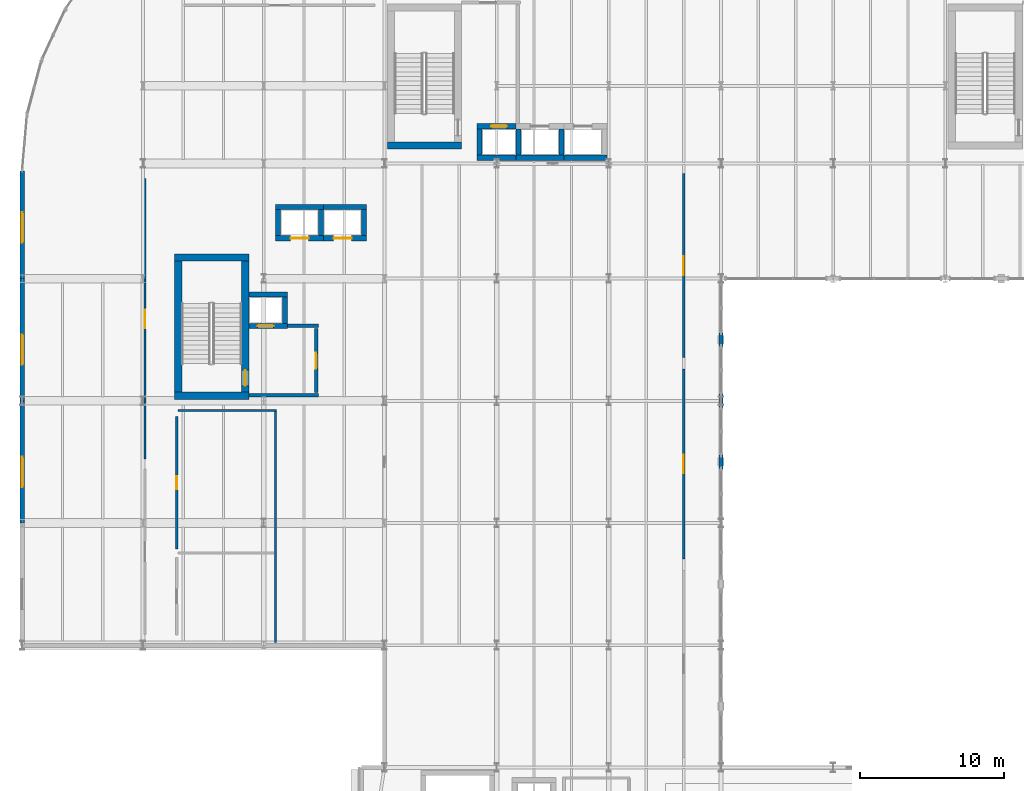
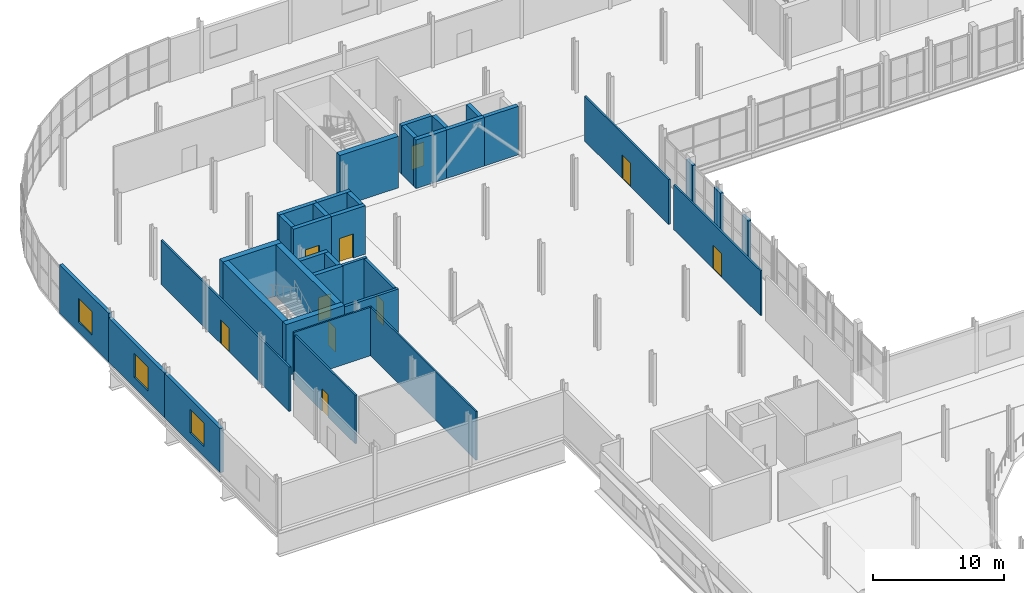
# One storey, part 50 of 63: 37 walls, 10 doors, 3 windows, 13 openings.
"""IFC4 building model written with IfcOpenShell, lengths in metres."""

from ifc_helpers import new_model, si_unit, direction, frame, frame_2d, origin, place, context, subcontext, project, spatial, rectangle, extrude, material, layer, layer_set, type_object, element, fill, save


model = new_model("IFC4")

# Units and contexts
model_context = context("Model", 3, precision=1e-05, world=origin(), true_north=direction((0.0, 1.0)))
body_context = subcontext(model_context, "Body", "Model", "MODEL_VIEW")
ifc_project = project(units=[si_unit("LENGTHUNIT", "METRE"), si_unit("AREAUNIT", "SQUARE_METRE"), si_unit("VOLUMEUNIT", "CUBIC_METRE"), si_unit("PLANEANGLEUNIT", "RADIAN"), si_unit("MASSUNIT", "GRAM", prefix="KILO")], contexts=[model_context])

# Site, building, storey
site_placement = place(None, origin())
site = spatial("IfcSite", under=ifc_project, at=site_placement, CompositionType="ELEMENT")
building_placement = place(site_placement, origin())
building = spatial("IfcBuilding", under=site, at=building_placement, Name="Sefraquen Railside Congress Hotel", CompositionType="ELEMENT")
storey_placement = place(building_placement, frame((0.0, 0.0, 11.39990234375)))
storey = spatial("IfcBuildingStorey", under=building, at=storey_placement, Name="L02", CompositionType="ELEMENT", Elevation=11.39990234375)

# Wall
ifc_material_1 = material(Name="Concrete C50/60", Category="concrete")
ifc_layer_1 = layer(ifc_material_1, 0.35009765625)
ifc_layer_set_1 = layer_set([ifc_layer_1], Name="Concrete C50/60")
wall_type_1 = type_object("IfcWallType", Name="TW-CW-350", PredefinedType="SHEAR", material=ifc_layer_set_1)
wall_1_placement = place(storey_placement, frame((15.760009765625, 86.89501953125, 0.0), z_axis=(0.0, 0.0, 1.0), x_axis=(1.0, 0.0, 0.0)))
element("IfcWall", 1, at=wall_1_placement, inside=storey, type_object=wall_type_1, Name="Lift FL-01 shaft wall N L02", PredefinedType="SHEAR", context=body_context, shape_type="SweptSolid", body=[
    extrude(rectangle(XDim=2.68994140625, YDim=0.35009765625, at=frame_2d((1.344970703125, 0.0))), origin(), (0.0, 0.0, 1.0), 4.52001953125),
])

# Wall, opening, door
wall_2_placement = place(storey_placement, frame((15.760009765625, 84.705078125, 0.0), z_axis=(0.0, 0.0, 1.0), x_axis=(1.0, 0.0, 0.0)))
wall_2 = element("IfcWall", 2, at=wall_2_placement, inside=storey, type_object=wall_type_1, Name="Lift FL-01 shaft wall S L02", PredefinedType="SHEAR", context=body_context, shape_type="SweptSolid", body=[
    extrude(rectangle(XDim=2.68994140625, YDim=0.35009765625, at=frame_2d((1.344970703125, 0.0))), origin(), (0.0, 0.0, 1.0), 4.52001953125),
])
opening_1_placement = place(wall_2_placement, frame((0.6201171875, 0.0, 0.0)))
opening_1 = element("IfcOpeningElement", 3, at=opening_1_placement, cuts=wall_2, Name="Opening LD-01", PredefinedType="OPENING", context=body_context, shape_type="SweptSolid", body=[
    extrude(rectangle(XDim=1.10009765625, YDim=2.199951171875, at=frame_2d((0.550048828125, 1.10009765625))), frame((0.0, 0.18505859375, 0.0), z_axis=(0.0, -1.0, 0.0), x_axis=(1.0, 0.0, 0.0)), (0.0, 0.0, 1.0), 0.3701171875),
])
ifc_material_2 = material(Name="Brushed bronze stainless steel", Category="steel")
door_type_1 = type_object("IfcDoorType", Name="TD-LD-01", OperationType="NOTDEFINED", PredefinedType="DOOR", material=ifc_material_2)
door_1_placement = place(opening_1_placement, origin())
door_1 = element("IfcDoor", 4, at=door_1_placement, inside=storey, type_object=door_type_1, Name="Lift landing door FL-01 L02", OperationType="SLIDING_TO_LEFT", OverallHeight=2.199951171875, OverallWidth=1.10009765625, PredefinedType="DOOR", context=body_context, shape_type="SweptSolid", body=[
    extrude(rectangle(XDim=1.10009765625, YDim=2.199951171875, at=frame_2d((0.550048828125, 1.10009765625))), frame((0.0, 0.02490234375, 0.0), z_axis=(0.0, -1.0, 0.0), x_axis=(1.0, 0.0, 0.0)), (0.0, 0.0, 1.0), 0.050048828125),
])
fill(opening_1, door_1)

# Wall
wall_3_placement = place(storey_placement, frame((18.27490234375, 84.8798828125, 0.0), z_axis=(0.0, 0.0, 1.0), x_axis=(0.0, 1.0, 0.0)))
element("IfcWall", 5, at=wall_3_placement, inside=storey, type_object=wall_type_1, Name="Lift FL-01 shaft wall E L02", PredefinedType="SHEAR", context=body_context, shape_type="SweptSolid", body=[
    extrude(rectangle(XDim=1.840087890625, YDim=0.35009765625, at=frame_2d((0.919921875, 0.0))), origin(), (0.0, 0.0, 1.0), 4.52001953125),
])

# Wall, opening, door
wall_4_placement = place(storey_placement, frame((31.639892578125, 98.594970703125, 0.0), z_axis=(0.0, 0.0, 1.0), x_axis=(1.0, 0.0, 0.0)))
wall_4 = element("IfcWall", 6, at=wall_4_placement, inside=storey, type_object=wall_type_1, Name="Lift FL-02 shaft wall N L02", PredefinedType="SHEAR", context=body_context, shape_type="SweptSolid", body=[
    extrude(rectangle(XDim=2.690185546875, YDim=0.35009765625, at=frame_2d((1.34521484375, 0.0))), origin(), (0.0, 0.0, 1.0), 4.52001953125),
])
opening_2_placement = place(wall_4_placement, frame((0.969970703125, 0.0, 0.0)))
opening_2 = element("IfcOpeningElement", 7, at=opening_2_placement, cuts=wall_4, Name="Opening LD-01", PredefinedType="OPENING", context=body_context, shape_type="SweptSolid", body=[
    extrude(rectangle(XDim=1.10009765625, YDim=2.199951171875, at=frame_2d((0.550048828125, 1.10009765625))), frame((0.0, 0.18505859375, 0.0), z_axis=(0.0, -1.0, 0.0), x_axis=(1.0, 0.0, 0.0)), (0.0, 0.0, 1.0), 0.3701171875),
])
door_2_placement = place(opening_2_placement, origin())
door_2 = element("IfcDoor", 8, at=door_2_placement, inside=storey, type_object=door_type_1, Name="Lift landing door FL-02 L02", OperationType="SLIDING_TO_LEFT", OverallHeight=2.199951171875, OverallWidth=1.10009765625, PredefinedType="DOOR", context=body_context, shape_type="SweptSolid", body=[
    extrude(rectangle(XDim=1.10009765625, YDim=2.199951171875, at=frame_2d((0.550048828125, 1.10009765625))), frame((0.0, 0.02490234375, 0.0), z_axis=(0.0, -1.0, 0.0), x_axis=(1.0, 0.0, 0.0)), (0.0, 0.0, 1.0), 0.050048828125),
])
fill(opening_2, door_2)

# Walls
wall_5_placement = place(storey_placement, frame((31.639892578125, 96.405029296875, 0.0), z_axis=(0.0, 0.0, 1.0), x_axis=(1.0, 0.0, 0.0)))
element("IfcWall", 9, at=wall_5_placement, inside=storey, type_object=wall_type_1, Name="Lift FL-02 shaft wall S L02", PredefinedType="SHEAR", context=body_context, shape_type="SweptSolid", body=[
    extrude(rectangle(XDim=2.690185546875, YDim=0.35009765625, at=frame_2d((1.34521484375, 0.0))), origin(), (0.0, 0.0, 1.0), 4.52001953125),
])
wall_6_placement = place(storey_placement, frame((31.81494140625, 96.580078125, 0.0), z_axis=(0.0, 0.0, 1.0), x_axis=(0.0, 1.0, 0.0)))
element("IfcWall", 10, at=wall_6_placement, inside=storey, type_object=wall_type_1, Name="Lift FL-02 shaft wall W L02", PredefinedType="SHEAR", context=body_context, shape_type="SweptSolid", body=[
    extrude(rectangle(XDim=1.83984375, YDim=0.35009765625, at=frame_2d((0.919921875, 0.0))), origin(), (0.0, 0.0, 1.0), 4.52001953125),
])
wall_7_placement = place(storey_placement, frame((17.6298828125, 92.9951171875, 0.0), z_axis=(0.0, 0.0, 1.0), x_axis=(1.0, 0.0, 0.0)))
element("IfcWall", 11, at=wall_7_placement, inside=storey, type_object=wall_type_1, Name="Lift PL-01 shaft wall N L02", PredefinedType="SHEAR", context=body_context, shape_type="SweptSolid", body=[
    extrude(rectangle(XDim=3.340087890625, YDim=0.35009765625, at=frame_2d((1.669921875, 0.0))), origin(), (0.0, 0.0, 1.0), 4.52001953125),
])

# Wall, opening, door
wall_8_placement = place(storey_placement, frame((17.6298828125, 90.804931640625, 0.0), z_axis=(0.0, 0.0, 1.0), x_axis=(1.0, 0.0, 0.0)))
wall_8 = element("IfcWall", 12, at=wall_8_placement, inside=storey, type_object=wall_type_1, Name="Lift PL-01 shaft wall S L02", PredefinedType="SHEAR", context=body_context, shape_type="SweptSolid", body=[
    extrude(rectangle(XDim=3.340087890625, YDim=0.35009765625, at=frame_2d((1.669921875, 0.0))), origin(), (0.0, 0.0, 1.0), 4.52001953125),
])
opening_3_placement = place(wall_8_placement, frame((1.044921875, 0.0, 0.0)))
opening_3 = element("IfcOpeningElement", 13, at=opening_3_placement, cuts=wall_8, Name="Opening LD-02", PredefinedType="OPENING", context=body_context, shape_type="SweptSolid", body=[
    extrude(rectangle(XDim=1.25, YDim=2.25, at=frame_2d((0.625, 1.125))), frame((0.0, 0.18505859375, 0.0), z_axis=(0.0, -1.0, 0.0), x_axis=(1.0, 0.0, 0.0)), (0.0, 0.0, 1.0), 0.3701171875),
])
ifc_material_3 = material(Name="Brushed stainless steel", Category="steel")
door_type_2 = type_object("IfcDoorType", Name="TD-LD-02", OperationType="NOTDEFINED", PredefinedType="DOOR", material=ifc_material_3)
door_3_placement = place(opening_3_placement, origin())
door_3 = element("IfcDoor", 14, at=door_3_placement, inside=storey, type_object=door_type_2, Name="Lift landing door PL-01 L02", OperationType="SLIDING_TO_LEFT", OverallHeight=2.25, OverallWidth=1.25, PredefinedType="DOOR", context=body_context, shape_type="SweptSolid", body=[
    extrude(rectangle(XDim=1.25, YDim=2.25, at=frame_2d((0.625, 1.125))), frame((0.0, 0.02490234375, 0.0), z_axis=(0.0, -1.0, 0.0), x_axis=(1.0, 0.0, 0.0)), (0.0, 0.0, 1.0), 0.050048828125),
])
fill(opening_3, door_3)

# Walls
for number, where, z_axis, x_axis, name in (
    (15, (17.804931640625, 90.97998046875, 0.0), (0.0, 0.0, 1.0), (0.0, 1.0, 0.0), "Lift PL-01 shaft wall W L02"),
    (16, (20.794921875, 90.97998046875, 0.0), (0.0, 0.0, 1.0), (0.0, 1.0, 0.0), "Lift PL-01 shaft wall E L02"),
):
    element("IfcWall", number, at=place(storey_placement, frame(where, z_axis=z_axis, x_axis=x_axis)), inside=storey, type_object=wall_type_1, Name=name, PredefinedType="SHEAR", context=body_context, shape_type="SweptSolid", body=[
        extrude(rectangle(XDim=1.840087890625, YDim=0.35009765625, at=frame_2d((0.919921875, 0.0))), origin(), (0.0, 0.0, 1.0), 4.52001953125),
    ])
wall_9_placement = place(storey_placement, frame((20.969970703125, 92.9951171875, 0.0), z_axis=(0.0, 0.0, 1.0), x_axis=(1.0, 0.0, 0.0)))
element("IfcWall", 17, at=wall_9_placement, inside=storey, type_object=wall_type_1, Name="Lift PL-02 shaft wall N L02", PredefinedType="SHEAR", context=body_context, shape_type="SweptSolid", body=[
    extrude(rectangle(XDim=2.989990234375, YDim=0.35009765625, at=frame_2d((1.4951171875, 0.0))), origin(), (0.0, 0.0, 1.0), 4.52001953125),
])

# Wall, opening, door
wall_10_placement = place(storey_placement, frame((20.969970703125, 90.804931640625, 0.0), z_axis=(0.0, 0.0, 1.0), x_axis=(1.0, 0.0, 0.0)))
wall_10 = element("IfcWall", 18, at=wall_10_placement, inside=storey, type_object=wall_type_1, Name="Lift PL-02 shaft wall S L02", PredefinedType="SHEAR", context=body_context, shape_type="SweptSolid", body=[
    extrude(rectangle(XDim=2.989990234375, YDim=0.35009765625, at=frame_2d((1.4951171875, 0.0))), origin(), (0.0, 0.0, 1.0), 4.52001953125),
])
opening_4_placement = place(wall_10_placement, frame((0.695068359375, 0.0, 0.0)))
opening_4 = element("IfcOpeningElement", 19, at=opening_4_placement, cuts=wall_10, Name="Opening LD-02", PredefinedType="OPENING", context=body_context, shape_type="SweptSolid", body=[
    extrude(rectangle(XDim=1.25, YDim=2.25, at=frame_2d((0.625, 1.125))), frame((0.0, 0.18505859375, 0.0), z_axis=(0.0, -1.0, 0.0), x_axis=(1.0, 0.0, 0.0)), (0.0, 0.0, 1.0), 0.3701171875),
])
door_4_placement = place(opening_4_placement, origin())
door_4 = element("IfcDoor", 20, at=door_4_placement, inside=storey, type_object=door_type_2, Name="Lift landing door PL-02 L02", OperationType="SLIDING_TO_LEFT", OverallHeight=2.25, OverallWidth=1.25, PredefinedType="DOOR", context=body_context, shape_type="SweptSolid", body=[
    extrude(rectangle(XDim=1.25, YDim=2.25, at=frame_2d((0.625, 1.125))), frame((0.0, 0.02490234375, 0.0), z_axis=(0.0, -1.0, 0.0), x_axis=(1.0, 0.0, 0.0)), (0.0, 0.0, 1.0), 0.050048828125),
])
fill(opening_4, door_4)

# Walls
wall_11_placement = place(storey_placement, frame((23.784912109375, 90.97998046875, 0.0), z_axis=(0.0, 0.0, 1.0), x_axis=(0.0, 1.0, 0.0)))
element("IfcWall", 21, at=wall_11_placement, inside=storey, type_object=wall_type_1, Name="Lift PL-02 shaft wall E L02", PredefinedType="SHEAR", context=body_context, shape_type="SweptSolid", body=[
    extrude(rectangle(XDim=1.840087890625, YDim=0.35009765625, at=frame_2d((0.919921875, 0.0))), origin(), (0.0, 0.0, 1.0), 4.52001953125),
])
wall_12_placement = place(storey_placement, frame((34.330078125, 96.405029296875, 0.0), z_axis=(0.0, 0.0, 1.0), x_axis=(1.0, 0.0, 0.0)))
element("IfcWall", 22, at=wall_12_placement, inside=storey, type_object=wall_type_1, Name="Lift PL-03 shaft wall S L02", PredefinedType="SHEAR", context=body_context, shape_type="SweptSolid", body=[
    extrude(rectangle(XDim=3.33984375, YDim=0.35009765625, at=frame_2d((1.669921875, 0.0))), origin(), (0.0, 0.0, 1.0), 4.52001953125),
])
for number, where, z_axis, x_axis, name in (
    (23, (34.5048828125, 96.580078125, 0.0), (0.0, 0.0, 1.0), (0.0, 1.0, 0.0), "Lift PL-03 shaft wall W L02"),
    (24, (37.4951171875, 96.580078125, 0.0), (0.0, 0.0, 1.0), (0.0, 1.0, 0.0), "Lift PL-03 shaft wall E L02"),
):
    element("IfcWall", number, at=place(storey_placement, frame(where, z_axis=z_axis, x_axis=x_axis)), inside=storey, type_object=wall_type_1, Name=name, PredefinedType="SHEAR", context=body_context, shape_type="SweptSolid", body=[
        extrude(rectangle(XDim=1.83984375, YDim=0.35009765625, at=frame_2d((0.919921875, 0.0))), origin(), (0.0, 0.0, 1.0), 4.52001953125),
    ])
wall_13_placement = place(storey_placement, frame((37.669921875, 96.405029296875, 0.0), z_axis=(0.0, 0.0, 1.0), x_axis=(1.0, 0.0, 0.0)))
element("IfcWall", 25, at=wall_13_placement, inside=storey, type_object=wall_type_1, Name="Lift PL-04 shaft wall S L02", PredefinedType="SHEAR", context=body_context, shape_type="SweptSolid", body=[
    extrude(rectangle(XDim=2.989990234375, YDim=0.35009765625, at=frame_2d((1.4951171875, 0.0))), origin(), (0.0, 0.0, 1.0), 4.52001953125),
])
ifc_layer_2 = layer(ifc_material_1, 0.5)
ifc_layer_set_2 = layer_set([ifc_layer_2], Name="Concrete C50/60")
wall_type_2 = type_object("IfcWallType", Name="TW-CW-500", PredefinedType="SHEAR", material=ifc_layer_set_2)
for number, where, z_axis, x_axis, name in (
    (26, (10.60009765625, 89.4619140625, 0.0), (0.0, 0.0, 1.0), (1.0, 0.0, 0.0), "Core shear wall ST-H01 N L02"),
    (27, (10.60009765625, 79.85009765625, 0.0), (0.0, 0.0, 1.0), (1.0, 0.0, 0.0), "Core shear wall ST-H01 S L02"),
):
    element("IfcWall", number, at=place(storey_placement, frame(where, z_axis=z_axis, x_axis=x_axis)), inside=storey, type_object=wall_type_2, Name=name, PredefinedType="SHEAR", context=body_context, shape_type="SweptSolid", body=[
        extrude(rectangle(XDim=5.159912109375, YDim=0.5, at=frame_2d((2.580078125, 0.0))), origin(), (0.0, 0.0, 1.0), 4.800048828125),
    ])
wall_14_placement = place(storey_placement, frame((10.85009765625, 80.10009765625, 0.0), z_axis=(0.0, 0.0, 1.0), x_axis=(0.0, 1.0, 0.0)))
element("IfcWall", 28, at=wall_14_placement, inside=storey, type_object=wall_type_2, Name="Core shear wall ST-H01 W L02", PredefinedType="SHEAR", context=body_context, shape_type="SweptSolid", body=[
    extrude(rectangle(XDim=9.11181640625, YDim=0.5, at=frame_2d((4.555908203125, 0.0))), origin(), (0.0, 0.0, 1.0), 4.800048828125),
])

# Wall, opening, door
wall_15_placement = place(storey_placement, frame((15.510009765625, 80.10009765625, 0.0), z_axis=(0.0, 0.0, 1.0), x_axis=(0.0, 1.0, 0.0)))
wall_15 = element("IfcWall", 29, at=wall_15_placement, inside=storey, type_object=wall_type_2, Name="Core shear wall ST-H01 E L02", PredefinedType="SHEAR", context=body_context, shape_type="SweptSolid", body=[
    extrude(rectangle(XDim=9.11181640625, YDim=0.5, at=frame_2d((4.555908203125, 0.0))), origin(), (0.0, 0.0, 1.0), 4.800048828125),
])
opening_5_placement = place(wall_15_placement, frame((0.43994140625, 0.0, 0.0)))
opening_5 = element("IfcOpeningElement", 30, at=opening_5_placement, cuts=wall_15, Name="Opening FD-04", PredefinedType="OPENING", context=body_context, shape_type="SweptSolid", body=[
    extrude(rectangle(XDim=1.10009765625, YDim=2.199951171875, at=frame_2d((0.550048828125, 1.10009765625))), frame((0.0, 0.260009765625, 0.0), z_axis=(0.0, -1.0, 0.0), x_axis=(1.0, 0.0, 0.0)), (0.0, 0.0, 1.0), 0.52001953125),
])
ifc_material_4 = material(Name="Fire-rated steel", Category="steel")
door_type_3 = type_object("IfcDoorType", Name="TD-FD-04", OperationType="NOTDEFINED", PredefinedType="DOOR", material=ifc_material_4)
door_5_placement = place(opening_5_placement, origin())
door_5 = element("IfcDoor", 31, at=door_5_placement, inside=storey, type_object=door_type_3, Name="Pressurized stair ST-H01 fire door L02", OperationType="SINGLE_SWING_RIGHT", OverallHeight=2.199951171875, OverallWidth=1.10009765625, PredefinedType="DOOR", context=body_context, shape_type="SweptSolid", body=[
    extrude(rectangle(XDim=1.10009765625, YDim=2.199951171875, at=frame_2d((0.550048828125, 1.10009765625))), frame((0.0, 0.02490234375, 0.0), z_axis=(0.0, -1.0, 0.0), x_axis=(1.0, 0.0, 0.0)), (0.0, 0.0, 1.0), 0.050048828125),
])
fill(opening_5, door_5)

# Walls
wall_16_placement = place(storey_placement, frame((25.39990234375, 97.25, 0.0), z_axis=(0.0, 0.0, 1.0), x_axis=(1.0, 0.0, 0.0)))
element("IfcWall", 32, at=wall_16_placement, inside=storey, type_object=wall_type_2, Name="Core shear wall ST-H02 S L02", PredefinedType="SHEAR", context=body_context, shape_type="SweptSolid", body=[
    extrude(rectangle(XDim=5.16015625, YDim=0.5, at=frame_2d((2.580078125, 0.0))), origin(), (0.0, 0.0, 1.0), 4.800048828125),
])
ifc_material_5 = material(Name="Ochre Rabat calcarenite limestone and Concrete C40/50 backing", Category="masonry")
ifc_layer_3 = layer(ifc_material_5, 0.280029296875)
ifc_layer_set_3 = layer_set([ifc_layer_3], Name="Ochre Rabat calcarenite limestone and Concrete C40/50 backing")
wall_type_3 = type_object("IfcWallType", Name="TW-EW-280", PredefinedType="STANDARD", material=ifc_layer_set_3)
for number, where, z_axis, x_axis, name in (
    (33, (48.60009765625, 74.77001953125, 0.0), (0.0, 0.0, 1.0), (0.0, 1.0, 0.0), "Courtyard west gallery curtain wall L02 column pier closure 1"),
    (34, (48.60009765625, 79.02001953125, 0.0), (0.0, 0.0, 1.0), (0.0, 1.0, 0.0), "Courtyard west gallery curtain wall L02 column pier closure 2"),
    (35, (48.60009765625, 83.27001953125, 0.0), (0.0, 0.0, 1.0), (0.0, 1.0, 0.0), "Courtyard west gallery curtain wall L02 column pier closure 3"),
):
    element("IfcWall", number, at=place(storey_placement, frame(where, z_axis=z_axis, x_axis=x_axis)), inside=storey, type_object=wall_type_3, Name=name, PredefinedType="STANDARD", context=body_context, shape_type="SweptSolid", body=[
        extrude(rectangle(XDim=0.9599609375, YDim=0.260009765625, at=frame_2d((0.47998046875, 0.0))), origin(), (0.0, 0.0, 1.0), 4.110107421875),
    ])

# Wall, opening, window
ifc_layer_4 = layer(ifc_material_5, 0.300048828125)
ifc_layer_set_4 = layer_set([ifc_layer_4], Name="Ochre Rabat calcarenite limestone and Concrete C40/50 backing")
wall_type_4 = type_object("IfcWallType", Name="TW-EW-300", PredefinedType="STANDARD", material=ifc_layer_set_4)
wall_17_placement = place(storey_placement, frame((0.0, 71.0, 0.0), z_axis=(0.0, 0.0, 1.0), x_axis=(0.0, 1.0, 0.0)))
wall_17 = element("IfcWall", 36, at=wall_17_placement, inside=storey, type_object=wall_type_4, Name="Hotel L02 West Forecourt facade wall", PredefinedType="STANDARD", context=body_context, shape_type="SweptSolid", body=[
    extrude(rectangle(XDim=8.5, YDim=0.300048828125, at=frame_2d((4.25, 0.0))), origin(), (0.0, 0.0, 1.0), 4.110107421875),
])
opening_6_placement = place(wall_17_placement, frame((2.5, 0.0, 0.949951171875)))
opening_6 = element("IfcOpeningElement", 37, at=opening_6_placement, cuts=wall_17, Name="Opening WN-07", PredefinedType="OPENING", context=body_context, shape_type="SweptSolid", body=[
    extrude(rectangle(XDim=2.10009765625, YDim=2.199951171875, at=frame_2d((1.050048828125, 1.10009765625))), frame((0.0, 0.159912109375, 0.0), z_axis=(0.0, -1.0, 0.0), x_axis=(1.0, 0.0, 0.0)), (0.0, 0.0, 1.0), 0.320068359375),
])
ifc_material_6 = material(Name="Solar-control low-E double glazing in bronze-anodised frame", Category="glass")
window_type = type_object("IfcWindowType", Name="TWN-W-07", PartitioningType="DOUBLE_PANEL_VERTICAL", PredefinedType="WINDOW", material=ifc_material_6)
window_1_placement = place(opening_6_placement, origin())
window_1 = element("IfcWindow", 38, at=window_1_placement, inside=storey, type_object=window_type, Name="Hotel L02 west window", OverallHeight=2.199951171875, OverallWidth=2.10009765625, PartitioningType="DOUBLE_PANEL_VERTICAL", PredefinedType="WINDOW", context=body_context, shape_type="SweptSolid", body=[
    extrude(rectangle(XDim=2.10009765625, YDim=2.199951171875, at=frame_2d((1.050048828125, 1.10009765625))), frame((0.0, 0.030029296875, 0.0), z_axis=(0.0, -1.0, 0.0), x_axis=(1.0, 0.0, 0.0)), (0.0, 0.0, 1.0), 0.06005859375),
])
fill(opening_6, window_1)

wall_18_placement = place(storey_placement, frame((0.0, 79.5, 0.0), z_axis=(0.0, 0.0, 1.0), x_axis=(0.0, 1.0, 0.0)))
wall_18 = element("IfcWall", 39, at=wall_18_placement, inside=storey, type_object=wall_type_4, Name="Hotel L02 West Forecourt facade wall", PredefinedType="STANDARD", context=body_context, shape_type="SweptSolid", body=[
    extrude(rectangle(XDim=8.5, YDim=0.300048828125, at=frame_2d((4.25, 0.0))), origin(), (0.0, 0.0, 1.0), 4.110107421875),
])
opening_7_placement = place(wall_18_placement, frame((2.5, 0.0, 0.949951171875)))
opening_7 = element("IfcOpeningElement", 40, at=opening_7_placement, cuts=wall_18, Name="Opening WN-07", PredefinedType="OPENING", context=body_context, shape_type="SweptSolid", body=[
    extrude(rectangle(XDim=2.10009765625, YDim=2.199951171875, at=frame_2d((1.050048828125, 1.10009765625))), frame((0.0, 0.159912109375, 0.0), z_axis=(0.0, -1.0, 0.0), x_axis=(1.0, 0.0, 0.0)), (0.0, 0.0, 1.0), 0.320068359375),
])
window_2_placement = place(opening_7_placement, origin())
window_2 = element("IfcWindow", 41, at=window_2_placement, inside=storey, type_object=window_type, Name="Hotel L02 west window", OverallHeight=2.199951171875, OverallWidth=2.10009765625, PartitioningType="DOUBLE_PANEL_VERTICAL", PredefinedType="WINDOW", context=body_context, shape_type="SweptSolid", body=[
    extrude(rectangle(XDim=2.10009765625, YDim=2.199951171875, at=frame_2d((1.050048828125, 1.10009765625))), frame((0.0, 0.030029296875, 0.0), z_axis=(0.0, -1.0, 0.0), x_axis=(1.0, 0.0, 0.0)), (0.0, 0.0, 1.0), 0.06005859375),
])
fill(opening_7, window_2)

wall_19_placement = place(storey_placement, frame((0.0, 88.0, 0.0), z_axis=(0.0, 0.0, 1.0), x_axis=(0.0, 1.0, 0.0)))
wall_19 = element("IfcWall", 42, at=wall_19_placement, inside=storey, type_object=wall_type_4, Name="Hotel L02 West Forecourt facade wall", PredefinedType="STANDARD", context=body_context, shape_type="SweptSolid", body=[
    extrude(rectangle(XDim=7.5, YDim=0.300048828125, at=frame_2d((3.75, 0.0))), origin(), (0.0, 0.0, 1.0), 4.52001953125),
])
opening_8_placement = place(wall_19_placement, frame((2.5, 0.0, 0.949951171875)))
opening_8 = element("IfcOpeningElement", 43, at=opening_8_placement, cuts=wall_19, Name="Opening WN-07", PredefinedType="OPENING", context=body_context, shape_type="SweptSolid", body=[
    extrude(rectangle(XDim=2.10009765625, YDim=2.199951171875, at=frame_2d((1.050048828125, 1.10009765625))), frame((0.0, 0.159912109375, 0.0), z_axis=(0.0, -1.0, 0.0), x_axis=(1.0, 0.0, 0.0)), (0.0, 0.0, 1.0), 0.320068359375),
])
window_3_placement = place(opening_8_placement, origin())
window_3 = element("IfcWindow", 44, at=window_3_placement, inside=storey, type_object=window_type, Name="Hotel L02 west window", OverallHeight=2.199951171875, OverallWidth=2.10009765625, PartitioningType="DOUBLE_PANEL_VERTICAL", PredefinedType="WINDOW", context=body_context, shape_type="SweptSolid", body=[
    extrude(rectangle(XDim=2.10009765625, YDim=2.199951171875, at=frame_2d((1.050048828125, 1.10009765625))), frame((0.0, 0.030029296875, 0.0), z_axis=(0.0, -1.0, 0.0), x_axis=(1.0, 0.0, 0.0)), (0.0, 0.0, 1.0), 0.06005859375),
])
fill(opening_8, window_3)

# Walls
ifc_material_7 = material(Name="Concrete C40/50", Category="concrete")
ifc_layer_5 = layer(ifc_material_7, 0.239990234375)
ifc_layer_set_5 = layer_set([ifc_layer_5], Name="Concrete C40/50")
wall_type_5 = type_object("IfcWallType", Name="TW-FW-240", PredefinedType="STANDARD", material=ifc_layer_set_5)
wall_20_placement = place(storey_placement, frame((15.760009765625, 79.89990234375, 0.0), z_axis=(0.0, 0.0, 1.0), x_axis=(1.0, 0.0, 0.0)))
element("IfcWall", 45, at=wall_20_placement, inside=storey, type_object=wall_type_5, Name="Firefighting Lift Lobby FFL-01 S fire wall L02", PredefinedType="STANDARD", context=body_context, shape_type="SweptSolid", body=[
    extrude(rectangle(XDim=4.860107421875, YDim=0.239990234375, at=frame_2d((2.43017578125, 0.0))), origin(), (0.0, 0.0, 1.0), 4.52001953125),
])
wall_21_placement = place(storey_placement, frame((18.449951171875, 84.705078125, 0.0), z_axis=(0.0, 0.0, 1.0), x_axis=(1.0, 0.0, 0.0)))
element("IfcWall", 46, at=wall_21_placement, inside=storey, type_object=wall_type_5, Name="Firefighting Lift Lobby FFL-01 N fire wall L02", PredefinedType="STANDARD", context=body_context, shape_type="SweptSolid", body=[
    extrude(rectangle(XDim=2.170166015625, YDim=0.239990234375, at=frame_2d((1.0849609375, 0.0))), origin(), (0.0, 0.0, 1.0), 4.52001953125),
])

# Wall, opening, door
wall_22_placement = place(storey_placement, frame((20.43994140625, 80.080078125, 0.0), z_axis=(0.0, 0.0, 1.0), x_axis=(0.0, 1.0, 0.0)))
wall_22 = element("IfcWall", 47, at=wall_22_placement, inside=storey, type_object=wall_type_5, Name="Firefighting Lift Lobby FFL-01 EI 120 separation wall L02", PredefinedType="STANDARD", context=body_context, shape_type="SweptSolid", body=[
    extrude(rectangle(XDim=4.449951171875, YDim=0.239990234375, at=frame_2d((2.22509765625, 0.0))), origin(), (0.0, 0.0, 1.0), 4.52001953125),
])
opening_9_placement = place(wall_22_placement, frame((1.64990234375, 0.0, 0.0)))
opening_9 = element("IfcOpeningElement", 48, at=opening_9_placement, cuts=wall_22, Name="Opening FD-04", PredefinedType="OPENING", context=body_context, shape_type="SweptSolid", body=[
    extrude(rectangle(XDim=1.10009765625, YDim=2.199951171875, at=frame_2d((0.550048828125, 1.10009765625))), frame((0.0, 0.1298828125, 0.0), z_axis=(0.0, -1.0, 0.0), x_axis=(1.0, 0.0, 0.0)), (0.0, 0.0, 1.0), 0.260009765625),
])
door_6_placement = place(opening_9_placement, origin())
door_6 = element("IfcDoor", 49, at=door_6_placement, inside=storey, type_object=door_type_3, Name="Firefighting Lift Lobby FFL-01 self-closing fire door L02", OperationType="SINGLE_SWING_RIGHT", OverallHeight=2.199951171875, OverallWidth=1.10009765625, PredefinedType="DOOR", context=body_context, shape_type="SweptSolid", body=[
    extrude(rectangle(XDim=1.10009765625, YDim=2.199951171875, at=frame_2d((0.550048828125, 1.10009765625))), frame((0.0, 0.02490234375, 0.0), z_axis=(0.0, -1.0, 0.0), x_axis=(1.0, 0.0, 0.0)), (0.0, 0.0, 1.0), 0.050048828125),
])
fill(opening_9, door_6)

# Walls
ifc_material_8 = material(Name="Moisture-resistant gypsum board", Category="gypsum")
ifc_layer_6 = layer(ifc_material_8, 0.139892578125)
ifc_layer_set_6 = layer_set([ifc_layer_6], Name="Moisture-resistant gypsum board")
wall_type_6 = type_object("IfcWallType", Name="TW-PW-140", PredefinedType="PARTITIONING", material=ifc_layer_set_6)
wall_23_placement = place(storey_placement, frame((17.6201171875, 62.699951171875, 0.0), z_axis=(0.0, 0.0, 1.0), x_axis=(0.0, 1.0, 0.0)))
element("IfcWall", 50, at=wall_23_placement, inside=storey, type_object=wall_type_6, Name="Hotel L02 sanitary block east enclosure partition", PredefinedType="PARTITIONING", context=body_context, shape_type="SweptSolid", body=[
    extrude(rectangle(XDim=16.050048828125, YDim=0.139892578125, at=frame_2d((8.02490234375, 0.0))), origin(), (0.0, 0.0, 1.0), 4.52001953125),
])
wall_24_placement = place(storey_placement, frame((10.830078125, 78.820068359375, 0.0), z_axis=(0.0, 0.0, 1.0), x_axis=(1.0, 0.0, 0.0)))
element("IfcWall", 51, at=wall_24_placement, inside=storey, type_object=wall_type_6, Name="Hotel L02 staff WC north enclosure partition", PredefinedType="PARTITIONING", context=body_context, shape_type="SweptSolid", body=[
    extrude(rectangle(XDim=6.85986328125, YDim=0.139892578125, at=frame_2d((3.429931640625, 0.0))), origin(), (0.0, 0.0, 1.0), 4.52001953125),
])

# Wall, opening, door
ifc_layer_7 = layer(ifc_material_8, 0.159912109375)
ifc_layer_set_7 = layer_set([ifc_layer_7], Name="Moisture-resistant gypsum board")
wall_type_7 = type_object("IfcWallType", Name="TW-PW-160", PredefinedType="PARTITIONING", material=ifc_layer_set_7)
wall_25_placement = place(storey_placement, frame((46.0, 68.5, 0.0), z_axis=(0.0, 0.0, 1.0), x_axis=(0.0, 1.0, 0.0)))
wall_25 = element("IfcWall", 52, at=wall_25_placement, inside=storey, type_object=wall_type_7, Name="Seminar Suite 02 enclosure wall", PredefinedType="PARTITIONING", context=body_context, shape_type="SweptSolid", body=[
    extrude(rectangle(XDim=13.199951171875, YDim=0.159912109375, at=frame_2d((6.60009765625, 0.0))), origin(), (0.0, 0.0, 1.0), 4.18017578125),
])
opening_10_placement = place(wall_25_placement, frame((5.949951171875, 0.0, 0.0)))
opening_10 = element("IfcOpeningElement", 53, at=opening_10_placement, cuts=wall_25, Name="Opening MD-02", PredefinedType="OPENING", context=body_context, shape_type="SweptSolid", body=[
    extrude(rectangle(XDim=1.300048828125, YDim=2.199951171875, at=frame_2d((0.64990234375, 1.10009765625))), frame((0.0, 0.08984375, 0.0), z_axis=(0.0, -1.0, 0.0), x_axis=(1.0, 0.0, 0.0)), (0.0, 0.0, 1.0), 0.179931640625),
])
ifc_material_9 = material(Name="Acoustic cedar veneer", Category="wood")
door_type_4 = type_object("IfcDoorType", Name="TD-MD-02", OperationType="NOTDEFINED", PredefinedType="DOOR", material=ifc_material_9)
door_7_placement = place(opening_10_placement, origin())
door_7 = element("IfcDoor", 54, at=door_7_placement, inside=storey, type_object=door_type_4, Name="Seminar Suite 02 entrance door", OperationType="SINGLE_SWING_LEFT", OverallHeight=2.199951171875, OverallWidth=1.300048828125, PredefinedType="DOOR", context=body_context, shape_type="SweptSolid", body=[
    extrude(rectangle(XDim=1.300048828125, YDim=2.199951171875, at=frame_2d((0.64990234375, 1.10009765625))), frame((0.0, 0.02490234375, 0.0), z_axis=(0.0, -1.0, 0.0), x_axis=(1.0, 0.0, 0.0)), (0.0, 0.0, 1.0), 0.050048828125),
])
fill(opening_10, door_7)

wall_26_placement = place(storey_placement, frame((46.0, 82.5, 0.0), z_axis=(0.0, 0.0, 1.0), x_axis=(0.0, 1.0, 0.0)))
wall_26 = element("IfcWall", 55, at=wall_26_placement, inside=storey, type_object=wall_type_7, Name="Seminar Suite 03 enclosure wall", PredefinedType="PARTITIONING", context=body_context, shape_type="SweptSolid", body=[
    extrude(rectangle(XDim=12.800048828125, YDim=0.159912109375, at=frame_2d((6.39990234375, 0.0))), origin(), (0.0, 0.0, 1.0), 4.18017578125),
])
opening_11_placement = place(wall_26_placement, frame((5.75, 0.0, 0.0)))
opening_11 = element("IfcOpeningElement", 56, at=opening_11_placement, cuts=wall_26, Name="Opening MD-02", PredefinedType="OPENING", context=body_context, shape_type="SweptSolid", body=[
    extrude(rectangle(XDim=1.300048828125, YDim=2.199951171875, at=frame_2d((0.64990234375, 1.10009765625))), frame((0.0, 0.08984375, 0.0), z_axis=(0.0, -1.0, 0.0), x_axis=(1.0, 0.0, 0.0)), (0.0, 0.0, 1.0), 0.179931640625),
])
door_8_placement = place(opening_11_placement, origin())
door_8 = element("IfcDoor", 57, at=door_8_placement, inside=storey, type_object=door_type_4, Name="Seminar Suite 03 entrance door", OperationType="SINGLE_SWING_RIGHT", OverallHeight=2.199951171875, OverallWidth=1.300048828125, PredefinedType="DOOR", context=body_context, shape_type="SweptSolid", body=[
    extrude(rectangle(XDim=1.300048828125, YDim=2.199951171875, at=frame_2d((0.64990234375, 1.10009765625))), frame((0.0, 0.02490234375, 0.0), z_axis=(0.0, -1.0, 0.0), x_axis=(1.0, 0.0, 0.0)), (0.0, 0.0, 1.0), 0.050048828125),
])
fill(opening_11, door_8)

wall_27_placement = place(storey_placement, frame((8.550048828125, 75.449951171875, 0.0), z_axis=(0.0, 0.0, 1.0), x_axis=(0.0, 1.0, 0.0)))
wall_27 = element("IfcWall", 58, at=wall_27_placement, inside=storey, type_object=wall_type_7, Name="Workshop Suite 02 enclosure wall", PredefinedType="PARTITIONING", context=body_context, shape_type="SweptSolid", body=[
    extrude(rectangle(XDim=19.5, YDim=0.159912109375, at=frame_2d((9.75, 0.0))), origin(), (0.0, 0.0, 1.0), 4.110107421875),
])
opening_12_placement = place(wall_27_placement, frame((9.10009765625, 0.0, 0.0)))
opening_12 = element("IfcOpeningElement", 59, at=opening_12_placement, cuts=wall_27, Name="Opening MD-02", PredefinedType="OPENING", context=body_context, shape_type="SweptSolid", body=[
    extrude(rectangle(XDim=1.300048828125, YDim=2.199951171875, at=frame_2d((0.64990234375, 1.10009765625))), frame((0.0, 0.08984375, 0.0), z_axis=(0.0, -1.0, 0.0), x_axis=(1.0, 0.0, 0.0)), (0.0, 0.0, 1.0), 0.179931640625),
])
door_9_placement = place(opening_12_placement, origin())
door_9 = element("IfcDoor", 60, at=door_9_placement, inside=storey, type_object=door_type_4, Name="Workshop Suite 02 entrance door", OperationType="SINGLE_SWING_LEFT", OverallHeight=2.199951171875, OverallWidth=1.300048828125, PredefinedType="DOOR", context=body_context, shape_type="SweptSolid", body=[
    extrude(rectangle(XDim=1.300048828125, YDim=2.199951171875, at=frame_2d((0.64990234375, 1.10009765625))), frame((0.0, 0.02490234375, 0.0), z_axis=(0.0, -1.0, 0.0), x_axis=(1.0, 0.0, 0.0)), (0.0, 0.0, 1.0), 0.050048828125),
])
fill(opening_12, door_9)

wall_28_placement = place(storey_placement, frame((10.75, 69.199951171875, 0.0), z_axis=(0.0, 0.0, 1.0), x_axis=(0.0, 1.0, 0.0)))
wall_28 = element("IfcWall", 61, at=wall_28_placement, inside=storey, type_object=wall_type_7, Name="Hotel L02 Staff WC enclosure wall", PredefinedType="PARTITIONING", context=body_context, shape_type="SweptSolid", body=[
    extrude(rectangle(XDim=9.199951171875, YDim=0.159912109375, at=frame_2d((4.60009765625, 0.0))), origin(), (0.0, 0.0, 1.0), 4.52001953125),
])
opening_13_placement = place(wall_28_placement, frame((4.14990234375, 0.0, 0.0)))
opening_13 = element("IfcOpeningElement", 62, at=opening_13_placement, cuts=wall_28, Name="Opening ID-02", PredefinedType="OPENING", context=body_context, shape_type="SweptSolid", body=[
    extrude(rectangle(XDim=0.89990234375, YDim=2.10009765625, at=frame_2d((0.449951171875, 1.050048828125))), frame((0.0, 0.08984375, 0.0), z_axis=(0.0, -1.0, 0.0), x_axis=(1.0, 0.0, 0.0)), (0.0, 0.0, 1.0), 0.179931640625),
])
ifc_material_10 = material(Name="Lacquered cedar joinery", Category="wood")
door_type_5 = type_object("IfcDoorType", Name="TD-ID-02", OperationType="NOTDEFINED", PredefinedType="DOOR", material=ifc_material_10)
door_10_placement = place(opening_13_placement, origin())
door_10 = element("IfcDoor", 63, at=door_10_placement, inside=storey, type_object=door_type_5, Name="Hotel L02 Staff WC entrance door", OperationType="SINGLE_SWING_LEFT", OverallHeight=2.10009765625, OverallWidth=0.89990234375, PredefinedType="DOOR", context=body_context, shape_type="SweptSolid", body=[
    extrude(rectangle(XDim=0.89990234375, YDim=2.10009765625, at=frame_2d((0.449951171875, 1.050048828125))), frame((0.0, 0.02490234375, 0.0), z_axis=(0.0, -1.0, 0.0), x_axis=(1.0, 0.0, 0.0)), (0.0, 0.0, 1.0), 0.050048828125),
])
fill(opening_13, door_10)

save(model, "model.ifc")
